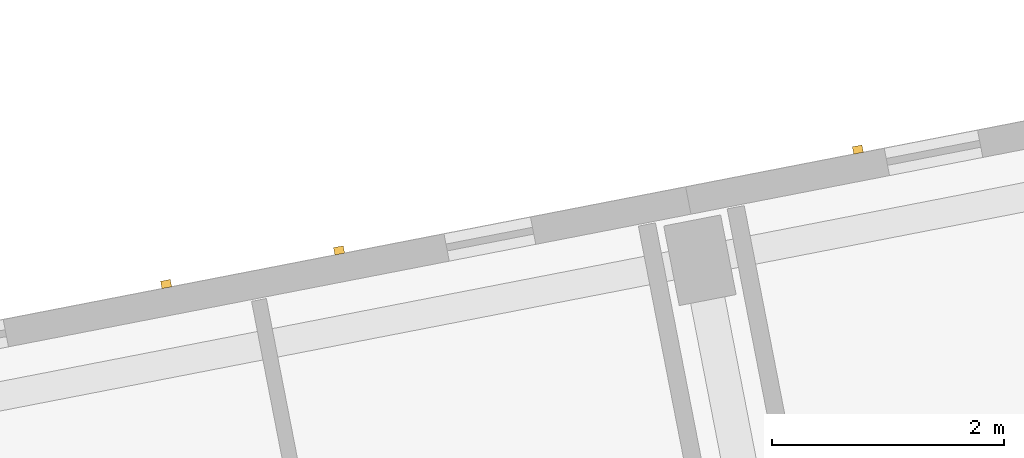
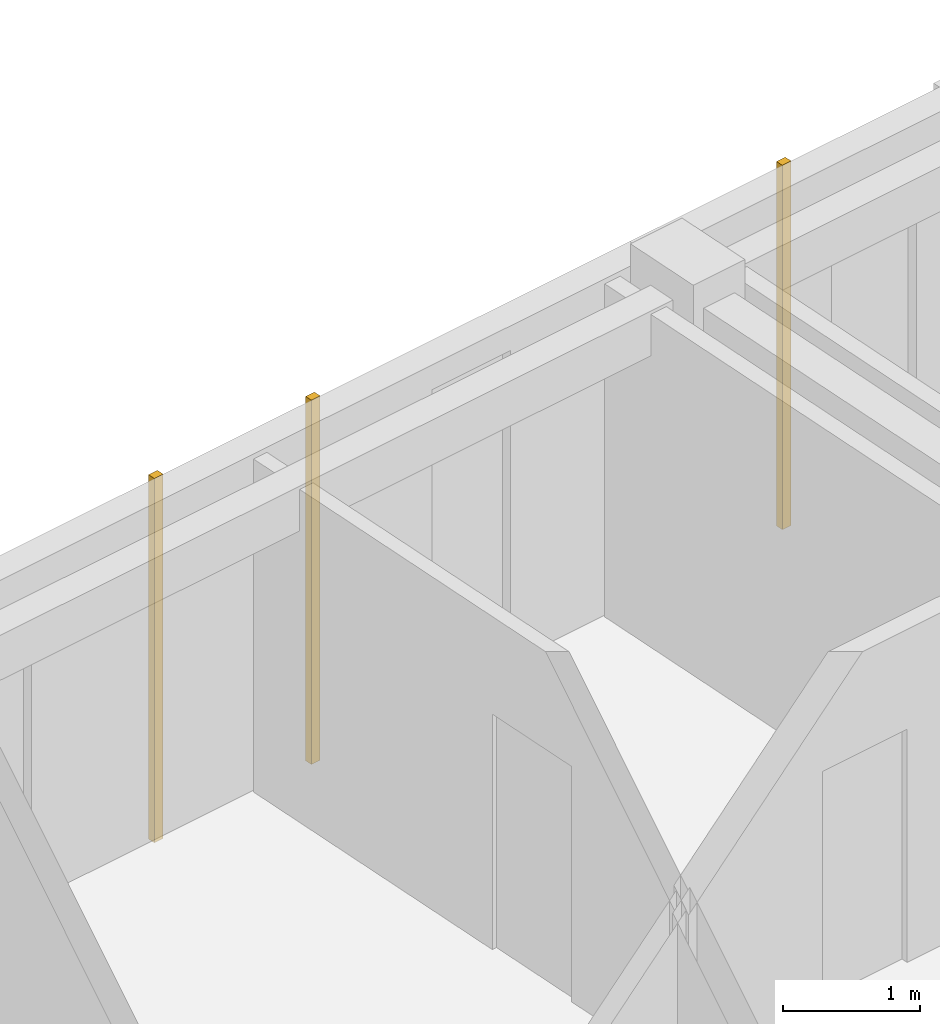
# One storey, part 54 of 66: 3 coverings.
"""IFC4 building model written with IfcOpenShell, lengths in metres."""

from ifc_helpers import new_model, si_unit, direction, frame, origin, origin_2d, place, context, subcontext, project, spatial, rectangle, extrude, material, layer, layer_set, type_object, element, save


model = new_model("IFC4")

# Units and contexts
model_context = context("Model", 3, precision=1e-05, world=origin(), true_north=direction((0.0, 1.0)))
body_context = subcontext(model_context, "Body", "Model", "MODEL_VIEW")
ifc_project = project(units=[si_unit("LENGTHUNIT", "METRE"), si_unit("AREAUNIT", "SQUARE_METRE"), si_unit("VOLUMEUNIT", "CUBIC_METRE"), si_unit("PLANEANGLEUNIT", "RADIAN"), si_unit("MASSUNIT", "GRAM", prefix="KILO")], contexts=[model_context])

# Site, building, storey
site_placement = place(None, origin())
site = spatial("IfcSite", under=ifc_project, at=site_placement, CompositionType="ELEMENT")
building_placement = place(site_placement, origin())
building = spatial("IfcBuilding", under=site, at=building_placement, Name="Kestramere Prow Commons", CompositionType="ELEMENT")
storey_placement = place(building_placement, frame((0.0, 0.0, 14.89990234375)))
storey = spatial("IfcBuildingStorey", under=building, at=storey_placement, Name="L04", CompositionType="ELEMENT", Elevation=14.89990234375)

# Coverings
ifc_material = material(Name="Weathered Zinc-Titanium Standing-Seam Cladding")
ifc_layer = layer(ifc_material, 0.074951171875)
ifc_layer_set = layer_set([ifc_layer], Name="Weathered Zinc-Titanium Standing-Seam Cladding")
covering_type = type_object("IfcCoveringType", Name="COV-CLAD-SEAM", PredefinedType="CLADDING", material=ifc_layer_set)
for number, where, z_axis, x_axis, name in (
    (1, (124.975341796875, 55.93505859375, -0.25), (0.0, 0.0, 1.0), (0.981627183448, 0.190808995377, 0.0), "EW-D-L04-N-1 Standing-Seam Rib 2"),
    (2, (126.467529296875, 56.22509765625, -0.25), (0.0, 0.0, 1.0), (0.981627183448, 0.190808995377, 0.0), "EW-D-L04-N-1 Standing-Seam Rib 3"),
    (3, (130.943603515625, 57.09521484375, -0.25), (0.0, 0.0, 1.0), (0.981627183448, 0.190808995377, 0.0), "EW-D-L04-N-2 Standing-Seam Rib 1"),
):
    element("IfcCovering", number, at=place(storey_placement, frame(where, z_axis=z_axis, x_axis=x_axis)), inside=storey, type_object=covering_type, Name=name, PredefinedType="CLADDING", context=body_context, shape_type="SweptSolid", body=[
        extrude(rectangle(XDim=0.0849609375, YDim=0.06494140625, at=origin_2d()), origin(), (0.0, 0.0, 1.0), 3.25),
    ])

save(model, "model.ifc")
